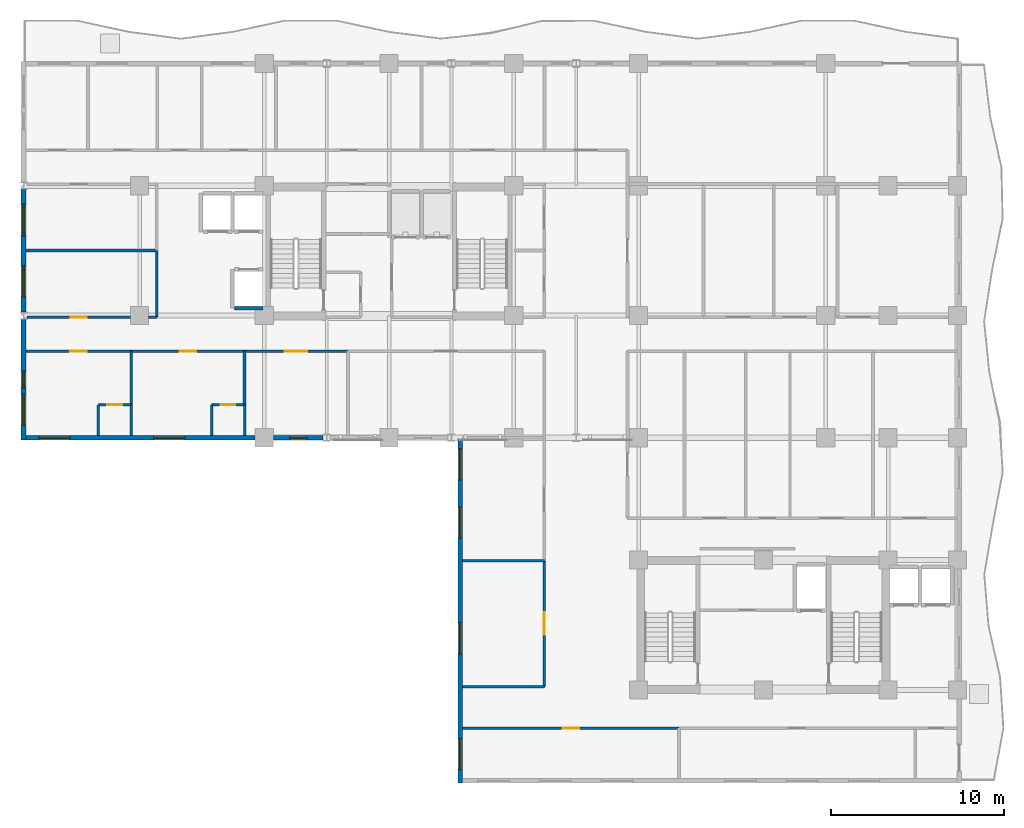
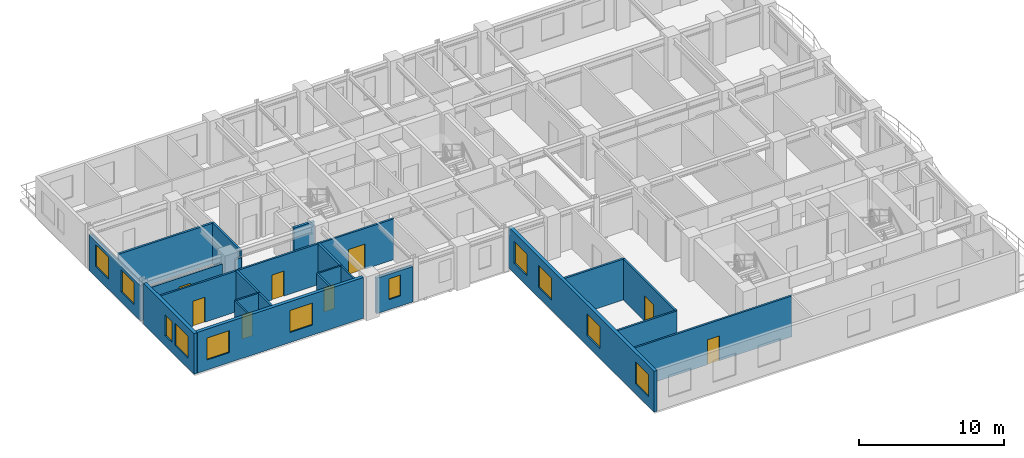
# One storey, part 4 of 14: 25 walls, 11 windows, 8 doors, 19 openings.
"""IFC4 building model written with IfcOpenShell, lengths in metres."""

from ifc_helpers import new_model, si_unit, direction, frame, frame_2d, origin, place, context, subcontext, project, spatial, rectangle, extrude, material, layer, layer_set, type_object, element, fill, save


model = new_model("IFC4")

# Units and contexts
model_context = context("Model", 3, precision=1e-05, world=origin(), true_north=direction((0.0, 1.0)))
body_context = subcontext(model_context, "Body", "Model", "MODEL_VIEW")
ifc_project = project(units=[si_unit("LENGTHUNIT", "METRE"), si_unit("AREAUNIT", "SQUARE_METRE"), si_unit("VOLUMEUNIT", "CUBIC_METRE"), si_unit("PLANEANGLEUNIT", "RADIAN"), si_unit("MASSUNIT", "GRAM", prefix="KILO")], contexts=[model_context])

# Site, building, storey
site_placement = place(None, origin())
site = spatial("IfcSite", under=ifc_project, at=site_placement, CompositionType="ELEMENT")
building_placement = place(site_placement, origin())
building = spatial("IfcBuilding", under=site, at=building_placement, Name="Kaliganga Portal Commons", CompositionType="ELEMENT")
storey_placement = place(building_placement, frame((0.0, 0.0, 151.300048828125)))
storey = spatial("IfcBuildingStorey", under=building, at=storey_placement, Name="L38", CompositionType="ELEMENT", Elevation=151.300048828125)

# Wall, openings, windows
ifc_material_1 = material(Name="Insulated Aluminium-Clad Spandrel Assembly", Category="aluminium")
ifc_layer_1 = layer(ifc_material_1, 0.260009765625)
ifc_layer_set_1 = layer_set([ifc_layer_1], Name="Insulated Aluminium-Clad Spandrel Assembly")
wall_type_1 = type_object("IfcWallType", Name="WL-EXT-SPAND-260", PredefinedType="STANDARD", material=ifc_layer_set_1)
wall_1_placement = place(storey_placement, frame((0.5, 28.85791015625, 0.0), z_axis=(0.0, 0.0, 1.0), x_axis=(0.0, 1.0, 0.0)))
wall_1 = element("IfcWall", 1, at=wall_1_placement, inside=storey, type_object=wall_type_1, Name="Exterior Envelope Wall L38 P1-E03-S2", PredefinedType="STANDARD", context=body_context, shape_type="SweptSolid", body=[
    extrude(rectangle(XDim=7.083984375, YDim=0.260009765625, at=frame_2d((3.5419921875, 0.0))), origin(), (0.0, 0.0, 1.0), 2.989990234375),
])
opening_1_placement = place(wall_1_placement, frame((0.87109375, 0.0, 0.85009765625)))
opening_1 = element("IfcOpeningElement", 2, at=opening_1_placement, cuts=wall_1, Name="Opening W-01", PredefinedType="OPENING", context=body_context, shape_type="SweptSolid", body=[
    extrude(rectangle(XDim=1.800048828125, YDim=1.85009765625, at=frame_2d((0.89990234375, 0.925048828125))), frame((0.0, 0.14013671875, 0.0), z_axis=(0.0, -1.0, 0.0), x_axis=(1.0, 0.0, 0.0)), (0.0, 0.0, 1.0), 0.280029296875),
])
opening_2_placement = place(wall_1_placement, frame((4.4130859375, 0.0, 0.85009765625)))
opening_2 = element("IfcOpeningElement", 3, at=opening_2_placement, cuts=wall_1, Name="Opening W-01", PredefinedType="OPENING", context=body_context, shape_type="SweptSolid", body=[
    extrude(rectangle(XDim=1.800048828125, YDim=1.85009765625, at=frame_2d((0.89990234375, 0.925048828125))), frame((0.0, 0.14013671875, 0.0), z_axis=(0.0, -1.0, 0.0), x_axis=(1.0, 0.0, 0.0)), (0.0, 0.0, 1.0), 0.280029296875),
])
ifc_material_2 = material(Name="Thermally Broken Aluminium and Low-E Double Glazing", Category="aluminium")
window_type_1 = type_object("IfcWindowType", Name="WIN-STD-1800", PartitioningType="DOUBLE_PANEL_VERTICAL", PredefinedType="WINDOW", material=ifc_material_2)
window_1_placement = place(opening_1_placement, origin())
window_1 = element("IfcWindow", 4, at=window_1_placement, inside=storey, type_object=window_type_1, Name="Facade Window L38-P1E03S2-00", OverallHeight=1.85009765625, OverallWidth=1.800048828125, PartitioningType="SINGLE_PANEL", PredefinedType="WINDOW", context=body_context, shape_type="SweptSolid", body=[
    extrude(rectangle(XDim=1.800048828125, YDim=1.85009765625, at=frame_2d((0.89990234375, 0.925048828125))), frame((0.0, 0.030029296875, 0.0), z_axis=(0.0, -1.0, 0.0), x_axis=(1.0, 0.0, 0.0)), (0.0, 0.0, 1.0), 0.06005859375),
])
fill(opening_1, window_1)
window_2_placement = place(opening_2_placement, origin())
window_2 = element("IfcWindow", 5, at=window_2_placement, inside=storey, type_object=window_type_1, Name="Facade Window L38-P1E03S2-01", OverallHeight=1.85009765625, OverallWidth=1.800048828125, PartitioningType="SINGLE_PANEL", PredefinedType="WINDOW", context=body_context, shape_type="SweptSolid", body=[
    extrude(rectangle(XDim=1.800048828125, YDim=1.85009765625, at=frame_2d((0.89990234375, 0.925048828125))), frame((0.0, 0.030029296875, 0.0), z_axis=(0.0, -1.0, 0.0), x_axis=(1.0, 0.0, 0.0)), (0.0, 0.0, 1.0), 0.06005859375),
])
fill(opening_2, window_2)

wall_2_placement = place(storey_placement, frame((0.5, 21.469970703125, 0.0), z_axis=(0.0, 0.0, 1.0), x_axis=(0.0, 1.0, 0.0)))
wall_2 = element("IfcWall", 6, at=wall_2_placement, inside=storey, type_object=wall_type_1, Name="Exterior Envelope Wall L38 P1-E03-S3", PredefinedType="STANDARD", context=body_context, shape_type="SweptSolid", body=[
    extrude(rectangle(XDim=6.971923828125, YDim=0.260009765625, at=frame_2d((3.48583984375, 0.0))), origin(), (0.0, 0.0, 1.0), 3.43994140625),
])
opening_3_placement = place(wall_2_placement, frame((0.843017578125, 0.0, 0.85009765625)))
opening_3 = element("IfcOpeningElement", 7, at=opening_3_placement, cuts=wall_2, Name="Opening W-01", PredefinedType="OPENING", context=body_context, shape_type="SweptSolid", body=[
    extrude(rectangle(XDim=1.800048828125, YDim=1.85009765625, at=frame_2d((0.89990234375, 0.925048828125))), frame((0.0, 0.14013671875, 0.0), z_axis=(0.0, -1.0, 0.0), x_axis=(1.0, 0.0, 0.0)), (0.0, 0.0, 1.0), 0.280029296875),
])
opening_4_placement = place(wall_2_placement, frame((3.010986328125, 0.0, 0.85009765625)))
opening_4 = element("IfcOpeningElement", 8, at=opening_4_placement, cuts=wall_2, Name="Opening W-04", PredefinedType="OPENING", context=body_context, shape_type="SweptSolid", body=[
    extrude(rectangle(XDim=0.949951171875, YDim=1.75, at=frame_2d((0.47509765625, 0.875))), frame((0.0, 0.14013671875, 0.0), z_axis=(0.0, -1.0, 0.0), x_axis=(1.0, 0.0, 0.0)), (0.0, 0.0, 1.0), 0.280029296875),
])
window_type_2 = type_object("IfcWindowType", Name="WIN-NARROW-950", PartitioningType="SINGLE_PANEL", PredefinedType="WINDOW", material=ifc_material_2)
window_3_placement = place(opening_4_placement, origin())
window_3 = element("IfcWindow", 9, at=window_3_placement, inside=storey, type_object=window_type_2, Name="Facade Window L38-P1E03S3-N0", OverallHeight=1.75, OverallWidth=0.949951171875, PartitioningType="SINGLE_PANEL", PredefinedType="WINDOW", context=body_context, shape_type="SweptSolid", body=[
    extrude(rectangle(XDim=0.949951171875, YDim=1.75, at=frame_2d((0.47509765625, 0.875))), frame((0.0, 0.030029296875, 0.0), z_axis=(0.0, -1.0, 0.0), x_axis=(1.0, 0.0, 0.0)), (0.0, 0.0, 1.0), 0.06005859375),
])
fill(opening_4, window_3)
window_4_placement = place(opening_3_placement, origin())
window_4 = element("IfcWindow", 10, at=window_4_placement, inside=storey, type_object=window_type_1, Name="Facade Window L38-P1E03S3-00", OverallHeight=1.85009765625, OverallWidth=1.800048828125, PartitioningType="SINGLE_PANEL", PredefinedType="WINDOW", context=body_context, shape_type="SweptSolid", body=[
    extrude(rectangle(XDim=1.800048828125, YDim=1.85009765625, at=frame_2d((0.89990234375, 0.925048828125))), frame((0.0, 0.030029296875, 0.0), z_axis=(0.0, -1.0, 0.0), x_axis=(1.0, 0.0, 0.0)), (0.0, 0.0, 1.0), 0.06005859375),
])
fill(opening_3, window_4)

wall_3_placement = place(storey_placement, frame((13.8740234375, 21.60009765625, 0.0), z_axis=(0.0, 0.0, 1.0), x_axis=(-1.0, 0.0, 0.0)))
wall_3 = element("IfcWall", 11, at=wall_3_placement, inside=storey, type_object=wall_type_1, Name="Exterior Envelope Wall L38 P1-E04-S1", PredefinedType="STANDARD", context=body_context, shape_type="SweptSolid", body=[
    extrude(rectangle(XDim=13.239013671875, YDim=0.260009765625, at=frame_2d((6.61962890625, 0.0))), origin(), (0.0, 0.0, 1.0), 3.43994140625),
])
opening_5_placement = place(wall_3_placement, frame((4.064697265625, 0.0, 0.85009765625)))
opening_5 = element("IfcOpeningElement", 12, at=opening_5_placement, cuts=wall_3, Name="Opening W-01", PredefinedType="OPENING", context=body_context, shape_type="SweptSolid", body=[
    extrude(rectangle(XDim=1.800048828125, YDim=1.85009765625, at=frame_2d((0.89990234375, 0.925048828125))), frame((0.0, 0.14013671875, 0.0), z_axis=(0.0, -1.0, 0.0), x_axis=(1.0, 0.0, 0.0)), (0.0, 0.0, 1.0), 0.280029296875),
])
opening_6_placement = place(wall_3_placement, frame((10.68408203125, 0.0, 0.85009765625)))
opening_6 = element("IfcOpeningElement", 13, at=opening_6_placement, cuts=wall_3, Name="Opening W-01", PredefinedType="OPENING", context=body_context, shape_type="SweptSolid", body=[
    extrude(rectangle(XDim=1.800048828125, YDim=1.85009765625, at=frame_2d((0.89990234375, 0.925048828125))), frame((0.0, 0.14013671875, 0.0), z_axis=(0.0, -1.0, 0.0), x_axis=(1.0, 0.0, 0.0)), (0.0, 0.0, 1.0), 0.280029296875),
])
window_5_placement = place(opening_5_placement, origin())
window_5 = element("IfcWindow", 14, at=window_5_placement, inside=storey, type_object=window_type_1, Name="Facade Window L38-P1E04S1-01", OverallHeight=1.85009765625, OverallWidth=1.800048828125, PartitioningType="SINGLE_PANEL", PredefinedType="WINDOW", context=body_context, shape_type="SweptSolid", body=[
    extrude(rectangle(XDim=1.800048828125, YDim=1.85009765625, at=frame_2d((0.89990234375, 0.925048828125))), frame((0.0, 0.030029296875, 0.0), z_axis=(0.0, -1.0, 0.0), x_axis=(1.0, 0.0, 0.0)), (0.0, 0.0, 1.0), 0.06005859375),
])
fill(opening_5, window_5)
window_6_placement = place(opening_6_placement, origin())
window_6 = element("IfcWindow", 15, at=window_6_placement, inside=storey, type_object=window_type_1, Name="Facade Window L38-P1E04S1-03", OverallHeight=1.85009765625, OverallWidth=1.800048828125, PartitioningType="SINGLE_PANEL", PredefinedType="WINDOW", context=body_context, shape_type="SweptSolid", body=[
    extrude(rectangle(XDim=1.800048828125, YDim=1.85009765625, at=frame_2d((0.89990234375, 0.925048828125))), frame((0.0, 0.030029296875, 0.0), z_axis=(0.0, -1.0, 0.0), x_axis=(1.0, 0.0, 0.0)), (0.0, 0.0, 1.0), 0.06005859375),
])
fill(opening_6, window_6)

# Wall, opening, window
wall_4_placement = place(storey_placement, frame((17.797119140625, 21.60009765625, 0.0), z_axis=(0.0, 0.0, 1.0), x_axis=(-1.0, 0.0, 0.0)))
wall_4 = element("IfcWall", 16, at=wall_4_placement, inside=storey, type_object=wall_type_1, Name="Exterior Envelope Wall L38 P1-E04-S2", PredefinedType="STANDARD", context=body_context, shape_type="SweptSolid", body=[
    extrude(rectangle(XDim=2.87109375, YDim=0.260009765625, at=frame_2d((1.435546875, 0.0))), origin(), (0.0, 0.0, 1.0), 2.989990234375),
])
opening_7_placement = place(wall_4_placement, frame((0.96044921875, 0.0, 0.85009765625)))
opening_7 = element("IfcOpeningElement", 17, at=opening_7_placement, cuts=wall_4, Name="Opening W-04", PredefinedType="OPENING", context=body_context, shape_type="SweptSolid", body=[
    extrude(rectangle(XDim=0.949951171875, YDim=1.75, at=frame_2d((0.47509765625, 0.875))), frame((0.0, 0.14013671875, 0.0), z_axis=(0.0, -1.0, 0.0), x_axis=(1.0, 0.0, 0.0)), (0.0, 0.0, 1.0), 0.280029296875),
])
window_7_placement = place(opening_7_placement, origin())
window_7 = element("IfcWindow", 18, at=window_7_placement, inside=storey, type_object=window_type_2, Name="Facade Window L38-P1E04S2-00", OverallHeight=1.75, OverallWidth=0.949951171875, PartitioningType="SINGLE_PANEL", PredefinedType="WINDOW", context=body_context, shape_type="SweptSolid", body=[
    extrude(rectangle(XDim=0.949951171875, YDim=1.75, at=frame_2d((0.47509765625, 0.875))), frame((0.0, 0.030029296875, 0.0), z_axis=(0.0, -1.0, 0.0), x_axis=(1.0, 0.0, 0.0)), (0.0, 0.0, 1.0), 0.06005859375),
])
fill(opening_7, window_7)

# Wall, openings, windows
wall_5_placement = place(storey_placement, frame((25.699951171875, 1.669921875, 0.0), z_axis=(0.0, 0.0, 1.0), x_axis=(0.0, 1.0, 0.0)))
wall_5 = element("IfcWall", 19, at=wall_5_placement, inside=storey, type_object=wall_type_1, Name="Exterior Envelope Wall L38 P1-E05-S1", PredefinedType="STANDARD", context=body_context, shape_type="SweptSolid", body=[
    extrude(rectangle(XDim=20.06005859375, YDim=0.260009765625, at=frame_2d((10.030029296875, 0.0))), origin(), (0.0, 0.0, 1.0), 3.43994140625),
])
opening_8_placement = place(wall_5_placement, frame((0.771728515625, 0.0, 0.85009765625)))
opening_8 = element("IfcOpeningElement", 20, at=opening_8_placement, cuts=wall_5, Name="Opening W-01", PredefinedType="OPENING", context=body_context, shape_type="SweptSolid", body=[
    extrude(rectangle(XDim=1.800048828125, YDim=1.85009765625, at=frame_2d((0.89990234375, 0.925048828125))), frame((0.0, 0.14013671875, 0.0), z_axis=(0.0, -1.0, 0.0), x_axis=(1.0, 0.0, 0.0)), (0.0, 0.0, 1.0), 0.280029296875),
])
opening_9_placement = place(wall_5_placement, frame((7.458251953125, 0.0, 0.85009765625)))
opening_9 = element("IfcOpeningElement", 21, at=opening_9_placement, cuts=wall_5, Name="Opening W-01", PredefinedType="OPENING", context=body_context, shape_type="SweptSolid", body=[
    extrude(rectangle(XDim=1.800048828125, YDim=1.85009765625, at=frame_2d((0.89990234375, 0.925048828125))), frame((0.0, 0.14013671875, 0.0), z_axis=(0.0, -1.0, 0.0), x_axis=(1.0, 0.0, 0.0)), (0.0, 0.0, 1.0), 0.280029296875),
])
opening_10_placement = place(wall_5_placement, frame((14.14501953125, 0.0, 0.85009765625)))
opening_10 = element("IfcOpeningElement", 22, at=opening_10_placement, cuts=wall_5, Name="Opening W-01", PredefinedType="OPENING", context=body_context, shape_type="SweptSolid", body=[
    extrude(rectangle(XDim=1.800048828125, YDim=1.85009765625, at=frame_2d((0.89990234375, 0.925048828125))), frame((0.0, 0.14013671875, 0.0), z_axis=(0.0, -1.0, 0.0), x_axis=(1.0, 0.0, 0.0)), (0.0, 0.0, 1.0), 0.280029296875),
])
opening_11_placement = place(wall_5_placement, frame((17.48828125, 0.0, 0.85009765625)))
opening_11 = element("IfcOpeningElement", 23, at=opening_11_placement, cuts=wall_5, Name="Opening W-01", PredefinedType="OPENING", context=body_context, shape_type="SweptSolid", body=[
    extrude(rectangle(XDim=1.800048828125, YDim=1.85009765625, at=frame_2d((0.89990234375, 0.925048828125))), frame((0.0, 0.14013671875, 0.0), z_axis=(0.0, -1.0, 0.0), x_axis=(1.0, 0.0, 0.0)), (0.0, 0.0, 1.0), 0.280029296875),
])
window_8_placement = place(opening_8_placement, origin())
window_8 = element("IfcWindow", 24, at=window_8_placement, inside=storey, type_object=window_type_1, Name="Facade Window L38-P1E05S1-00", OverallHeight=1.85009765625, OverallWidth=1.800048828125, PartitioningType="SINGLE_PANEL", PredefinedType="WINDOW", context=body_context, shape_type="SweptSolid", body=[
    extrude(rectangle(XDim=1.800048828125, YDim=1.85009765625, at=frame_2d((0.89990234375, 0.925048828125))), frame((0.0, 0.030029296875, 0.0), z_axis=(0.0, -1.0, 0.0), x_axis=(1.0, 0.0, 0.0)), (0.0, 0.0, 1.0), 0.06005859375),
])
fill(opening_8, window_8)
window_9_placement = place(opening_9_placement, origin())
window_9 = element("IfcWindow", 25, at=window_9_placement, inside=storey, type_object=window_type_1, Name="Facade Window L38-P1E05S1-02", OverallHeight=1.85009765625, OverallWidth=1.800048828125, PartitioningType="SINGLE_PANEL", PredefinedType="WINDOW", context=body_context, shape_type="SweptSolid", body=[
    extrude(rectangle(XDim=1.800048828125, YDim=1.85009765625, at=frame_2d((0.89990234375, 0.925048828125))), frame((0.0, 0.030029296875, 0.0), z_axis=(0.0, -1.0, 0.0), x_axis=(1.0, 0.0, 0.0)), (0.0, 0.0, 1.0), 0.06005859375),
])
fill(opening_9, window_9)
window_10_placement = place(opening_10_placement, origin())
window_10 = element("IfcWindow", 26, at=window_10_placement, inside=storey, type_object=window_type_1, Name="Facade Window L38-P1E05S1-04", OverallHeight=1.85009765625, OverallWidth=1.800048828125, PartitioningType="SINGLE_PANEL", PredefinedType="WINDOW", context=body_context, shape_type="SweptSolid", body=[
    extrude(rectangle(XDim=1.800048828125, YDim=1.85009765625, at=frame_2d((0.89990234375, 0.925048828125))), frame((0.0, 0.030029296875, 0.0), z_axis=(0.0, -1.0, 0.0), x_axis=(1.0, 0.0, 0.0)), (0.0, 0.0, 1.0), 0.06005859375),
])
fill(opening_10, window_10)
window_11_placement = place(opening_11_placement, origin())
window_11 = element("IfcWindow", 27, at=window_11_placement, inside=storey, type_object=window_type_1, Name="Facade Window L38-P1E05S1-05", OverallHeight=1.85009765625, OverallWidth=1.800048828125, PartitioningType="SINGLE_PANEL", PredefinedType="WINDOW", context=body_context, shape_type="SweptSolid", body=[
    extrude(rectangle(XDim=1.800048828125, YDim=1.85009765625, at=frame_2d((0.89990234375, 0.925048828125))), frame((0.0, 0.030029296875, 0.0), z_axis=(0.0, -1.0, 0.0), x_axis=(1.0, 0.0, 0.0)), (0.0, 0.0, 1.0), 0.06005859375),
])
fill(opening_11, window_11)

# Wall, opening, door
ifc_material_3 = material(Name="Fire-Rated Gypsum Board on Steel Stud", Category="steel")
ifc_layer_2 = layer(ifc_material_3, 0.14990234375)
ifc_layer_set_2 = layer_set([ifc_layer_2], Name="Fire-Rated Gypsum Board on Steel Stud")
wall_type_2 = type_object("IfcWallType", Name="WL-PART-CORR-150", PredefinedType="PARTITIONING", material=ifc_layer_set_2)
wall_6_placement = place(storey_placement, frame((25.83203125, 4.840087890625, 0.0), z_axis=(0.0, 0.0, 1.0), x_axis=(1.0, 0.0, 0.0)))
wall_6 = element("IfcWall", 28, at=wall_6_placement, inside=storey, type_object=wall_type_2, Name="Interior Partition L38-008", PredefinedType="PARTITIONING", context=body_context, shape_type="SweptSolid", body=[
    extrude(rectangle(XDim=12.508056640625, YDim=0.14990234375, at=frame_2d((6.25390625, 0.0))), origin(), (0.0, 0.0, 1.0), 3.43994140625),
])
opening_12_placement = place(wall_6_placement, frame((5.779052734375, 0.0, 0.0)))
opening_12 = element("IfcOpeningElement", 29, at=opening_12_placement, cuts=wall_6, Name="Opening UD-01", PredefinedType="OPENING", context=body_context, shape_type="SweptSolid", body=[
    extrude(rectangle(XDim=0.949951171875, YDim=2.10009765625, at=frame_2d((0.47509765625, 1.050048828125))), frame((0.0, 0.0849609375, 0.0), z_axis=(0.0, -1.0, 0.0), x_axis=(1.0, 0.0, 0.0)), (0.0, 0.0, 1.0), 0.169921875),
])
ifc_material_4 = material(Name="Solid-Core Timber Acoustic Fire Door", Category="wood")
door_type_1 = type_object("IfcDoorType", Name="DR-UNIT-950", OperationType="NOTDEFINED", PredefinedType="DOOR", material=ifc_material_4)
door_1_placement = place(opening_12_placement, origin())
door_1 = element("IfcDoor", 30, at=door_1_placement, inside=storey, type_object=door_type_1, Name="Interior Door L38-BS01", OperationType="SINGLE_SWING_RIGHT", OverallHeight=2.10009765625, OverallWidth=0.949951171875, PredefinedType="DOOR", context=body_context, shape_type="SweptSolid", body=[
    extrude(rectangle(XDim=0.949951171875, YDim=2.10009765625, at=frame_2d((0.47509765625, 1.050048828125))), frame((0.0, 0.02490234375, 0.0), z_axis=(0.0, -1.0, 0.0), x_axis=(1.0, 0.0, 0.0)), (0.0, 0.0, 1.0), 0.050048828125),
])
fill(opening_12, door_1)

wall_7_placement = place(storey_placement, frame((0.701904296875, 28.56005859375, 0.0), z_axis=(0.0, 0.0, 1.0), x_axis=(1.0, 0.0, 0.0)))
wall_7 = element("IfcWall", 31, at=wall_7_placement, inside=storey, type_object=wall_type_2, Name="Interior Partition L38-012", PredefinedType="PARTITIONING", context=body_context, shape_type="SweptSolid", body=[
    extrude(rectangle(XDim=5.97314453125, YDim=0.14990234375, at=frame_2d((2.986572265625, 0.0))), origin(), (0.0, 0.0, 1.0), 2.83984375),
])
opening_13_placement = place(wall_7_placement, frame((2.511474609375, 0.0, 0.0)))
opening_13 = element("IfcOpeningElement", 32, at=opening_13_placement, cuts=wall_7, Name="Opening UD-01", PredefinedType="OPENING", context=body_context, shape_type="SweptSolid", body=[
    extrude(rectangle(XDim=0.949951171875, YDim=2.10009765625, at=frame_2d((0.47509765625, 1.050048828125))), frame((0.0, 0.0849609375, 0.0), z_axis=(0.0, -1.0, 0.0), x_axis=(1.0, 0.0, 0.0)), (0.0, 0.0, 1.0), 0.169921875),
])
door_2_placement = place(opening_13_placement, origin())
door_2 = element("IfcDoor", 33, at=door_2_placement, inside=storey, type_object=door_type_1, Name="Interior Door L38-AW01", OperationType="SINGLE_SWING_RIGHT", OverallHeight=2.10009765625, OverallWidth=0.949951171875, PredefinedType="DOOR", context=body_context, shape_type="SweptSolid", body=[
    extrude(rectangle(XDim=0.949951171875, YDim=2.10009765625, at=frame_2d((0.47509765625, 1.050048828125))), frame((0.0, 0.02490234375, 0.0), z_axis=(0.0, -1.0, 0.0), x_axis=(1.0, 0.0, 0.0)), (0.0, 0.0, 1.0), 0.050048828125),
])
fill(opening_13, door_2)

# Wall
wall_8_placement = place(storey_placement, frame((7.72509765625, 28.56005859375, 0.0), z_axis=(0.0, 0.0, 1.0), x_axis=(1.0, 0.0, 0.0)))
element("IfcWall", 34, at=wall_8_placement, inside=storey, type_object=wall_type_2, Name="Interior Partition L38-013", PredefinedType="PARTITIONING", context=body_context, shape_type="SweptSolid", body=[
    extrude(rectangle(XDim=0.474853515625, YDim=0.14990234375, at=frame_2d((0.2373046875, 0.0))), origin(), (0.0, 0.0, 1.0), 2.83984375),
])

# Wall, opening, door
wall_9_placement = place(storey_placement, frame((30.56005859375, 7.239990234375, 0.0), z_axis=(0.0, 0.0, 1.0), x_axis=(0.0, 1.0, 0.0)))
wall_9 = element("IfcWall", 35, at=wall_9_placement, inside=storey, type_object=wall_type_2, Name="Interior Partition L38-017", PredefinedType="PARTITIONING", context=body_context, shape_type="SweptSolid", body=[
    extrude(rectangle(XDim=7.260009765625, YDim=0.14990234375, at=frame_2d((3.6298828125, 0.0))), origin(), (0.0, 0.0, 1.0), 3.43994140625),
])
opening_14_placement = place(wall_9_placement, frame((2.97998046875, 0.0, 0.0)))
opening_14 = element("IfcOpeningElement", 36, at=opening_14_placement, cuts=wall_9, Name="Opening RD-03", PredefinedType="OPENING", context=body_context, shape_type="SweptSolid", body=[
    extrude(rectangle(XDim=1.300048828125, YDim=2.1201171875, at=frame_2d((0.64990234375, 1.06005859375))), frame((0.0, 0.0849609375, 0.0), z_axis=(0.0, -1.0, 0.0), x_axis=(1.0, 0.0, 0.0)), (0.0, 0.0, 1.0), 0.169921875),
])
ifc_material_5 = material(Name="Glazed Timber Seminar Vision Door", Category="wood")
door_type_2 = type_object("IfcDoorType", Name="DR-STUDY-1300", OperationType="DOUBLE_DOOR_SINGLE_SWING", PredefinedType="DOOR", material=ifc_material_5)
door_3_placement = place(opening_14_placement, origin())
door_3 = element("IfcDoor", 37, at=door_3_placement, inside=storey, type_object=door_type_2, Name="Interior Door L38-KW01", OperationType="DOUBLE_DOOR_SINGLE_SWING", OverallHeight=2.1201171875, OverallWidth=1.300048828125, PredefinedType="DOOR", context=body_context, shape_type="SweptSolid", body=[
    extrude(rectangle(XDim=1.300048828125, YDim=2.1201171875, at=frame_2d((0.64990234375, 1.06005859375))), frame((0.0, 0.02490234375, 0.0), z_axis=(0.0, -1.0, 0.0), x_axis=(1.0, 0.0, 0.0)), (0.0, 0.0, 1.0), 0.050048828125),
])
fill(opening_14, door_3)

wall_10_placement = place(storey_placement, frame((6.719970703125, 26.60009765625, 0.0), z_axis=(0.0, 0.0, 1.0), x_axis=(1.0, 0.0, 0.0)))
wall_10 = element("IfcWall", 38, at=wall_10_placement, inside=storey, type_object=wall_type_2, Name="Interior Partition L38-022", PredefinedType="PARTITIONING", context=body_context, shape_type="SweptSolid", body=[
    extrude(rectangle(XDim=6.5400390625, YDim=0.14990234375, at=frame_2d((3.27001953125, 0.0))), origin(), (0.0, 0.0, 1.0), 3.43994140625),
])
opening_15_placement = place(wall_10_placement, frame((2.794921875, 0.0, 0.0)))
opening_15 = element("IfcOpeningElement", 39, at=opening_15_placement, cuts=wall_10, Name="Opening UD-01", PredefinedType="OPENING", context=body_context, shape_type="SweptSolid", body=[
    extrude(rectangle(XDim=0.949951171875, YDim=2.10009765625, at=frame_2d((0.47509765625, 1.050048828125))), frame((0.0, 0.0849609375, 0.0), z_axis=(0.0, -1.0, 0.0), x_axis=(1.0, 0.0, 0.0)), (0.0, 0.0, 1.0), 0.169921875),
])
door_4_placement = place(opening_15_placement, origin())
door_4 = element("IfcDoor", 40, at=door_4_placement, inside=storey, type_object=door_type_1, Name="Interior Door L38-AS02", OperationType="SINGLE_SWING_LEFT", OverallHeight=2.10009765625, OverallWidth=0.949951171875, PredefinedType="DOOR", context=body_context, shape_type="SweptSolid", body=[
    extrude(rectangle(XDim=0.949951171875, YDim=2.10009765625, at=frame_2d((0.47509765625, 1.050048828125))), frame((0.0, 0.02490234375, 0.0), z_axis=(0.0, -1.0, 0.0), x_axis=(1.0, 0.0, 0.0)), (0.0, 0.0, 1.0), 0.050048828125),
])
fill(opening_15, door_4)

wall_11_placement = place(storey_placement, frame((0.632080078125, 26.60009765625, 0.0), z_axis=(0.0, 0.0, 1.0), x_axis=(1.0, 0.0, 0.0)))
wall_11 = element("IfcWall", 41, at=wall_11_placement, inside=storey, type_object=wall_type_2, Name="Interior Partition L38-023", PredefinedType="PARTITIONING", context=body_context, shape_type="SweptSolid", body=[
    extrude(rectangle(XDim=6.087890625, YDim=0.14990234375, at=frame_2d((3.0439453125, 0.0))), origin(), (0.0, 0.0, 1.0), 3.43994140625),
])
opening_16_placement = place(wall_11_placement, frame((2.569091796875, 0.0, 0.0)))
opening_16 = element("IfcOpeningElement", 42, at=opening_16_placement, cuts=wall_11, Name="Opening UD-01", PredefinedType="OPENING", context=body_context, shape_type="SweptSolid", body=[
    extrude(rectangle(XDim=0.949951171875, YDim=2.10009765625, at=frame_2d((0.47509765625, 1.050048828125))), frame((0.0, 0.0849609375, 0.0), z_axis=(0.0, -1.0, 0.0), x_axis=(1.0, 0.0, 0.0)), (0.0, 0.0, 1.0), 0.169921875),
])
door_5_placement = place(opening_16_placement, origin())
door_5 = element("IfcDoor", 43, at=door_5_placement, inside=storey, type_object=door_type_1, Name="Interior Door L38-AS01", OperationType="SINGLE_SWING_RIGHT", OverallHeight=2.10009765625, OverallWidth=0.949951171875, PredefinedType="DOOR", context=body_context, shape_type="SweptSolid", body=[
    extrude(rectangle(XDim=0.949951171875, YDim=2.10009765625, at=frame_2d((0.47509765625, 1.050048828125))), frame((0.0, 0.02490234375, 0.0), z_axis=(0.0, -1.0, 0.0), x_axis=(1.0, 0.0, 0.0)), (0.0, 0.0, 1.0), 0.050048828125),
])
fill(opening_16, door_5)

wall_12_placement = place(storey_placement, frame((13.260009765625, 26.60009765625, 0.0), z_axis=(0.0, 0.0, 1.0), x_axis=(1.0, 0.0, 0.0)))
wall_12 = element("IfcWall", 44, at=wall_12_placement, inside=storey, type_object=wall_type_2, Name="Interior Partition L38-024", PredefinedType="PARTITIONING", context=body_context, shape_type="SweptSolid", body=[
    extrude(rectangle(XDim=5.9599609375, YDim=0.14990234375, at=frame_2d((2.97998046875, 0.0))), origin(), (0.0, 0.0, 1.0), 3.43994140625),
])
opening_17_placement = place(wall_12_placement, frame((2.330078125, 0.0, 0.0)))
opening_17 = element("IfcOpeningElement", 45, at=opening_17_placement, cuts=wall_12, Name="Opening RD-03", PredefinedType="OPENING", context=body_context, shape_type="SweptSolid", body=[
    extrude(rectangle(XDim=1.300048828125, YDim=2.1201171875, at=frame_2d((0.64990234375, 1.06005859375))), frame((0.0, 0.0849609375, 0.0), z_axis=(0.0, -1.0, 0.0), x_axis=(1.0, 0.0, 0.0)), (0.0, 0.0, 1.0), 0.169921875),
])
door_6_placement = place(opening_17_placement, origin())
door_6 = element("IfcDoor", 46, at=door_6_placement, inside=storey, type_object=door_type_2, Name="Interior Door L38-AS03", OperationType="DOUBLE_DOOR_SINGLE_SWING", OverallHeight=2.1201171875, OverallWidth=1.300048828125, PredefinedType="DOOR", context=body_context, shape_type="SweptSolid", body=[
    extrude(rectangle(XDim=1.300048828125, YDim=2.1201171875, at=frame_2d((0.64990234375, 1.06005859375))), frame((0.0, 0.02490234375, 0.0), z_axis=(0.0, -1.0, 0.0), x_axis=(1.0, 0.0, 0.0)), (0.0, 0.0, 1.0), 0.050048828125),
])
fill(opening_17, door_6)

# Walls
wall_13_placement = place(storey_placement, frame((25.83203125, 7.239990234375, 0.0), z_axis=(0.0, 0.0, 1.0), x_axis=(1.0, 0.0, 0.0)))
element("IfcWall", 47, at=wall_13_placement, inside=storey, type_object=wall_type_2, Name="Interior Partition L38-030", PredefinedType="PARTITIONING", context=body_context, shape_type="SweptSolid", body=[
    extrude(rectangle(XDim=4.72802734375, YDim=0.14990234375, at=frame_2d((2.364013671875, 0.0))), origin(), (0.0, 0.0, 1.0), 3.43994140625),
])
wall_14_placement = place(storey_placement, frame((8.199951171875, 28.56005859375, 0.0), z_axis=(0.0, 0.0, 1.0), x_axis=(0.0, 1.0, 0.0)))
element("IfcWall", 48, at=wall_14_placement, inside=storey, type_object=wall_type_2, Name="Interior Partition L38-040", PredefinedType="PARTITIONING", context=body_context, shape_type="SweptSolid", body=[
    extrude(rectangle(XDim=3.83984375, YDim=0.14990234375, at=frame_2d((1.919921875, 0.0))), origin(), (0.0, 0.0, 1.0), 3.43994140625),
])
ifc_material_6 = material(Name="Twin-Stud Acoustic Gypsum Partition", Category="gypsum")
ifc_layer_3 = layer(ifc_material_6, 0.1650390625)
ifc_layer_set_3 = layer_set([ifc_layer_3], Name="Twin-Stud Acoustic Gypsum Partition")
wall_type_3 = type_object("IfcWallType", Name="WL-PART-UNIT-165", PredefinedType="PARTITIONING", material=ifc_layer_set_3)
wall_15_placement = place(storey_placement, frame((0.632080078125, 32.39990234375, 0.0), z_axis=(0.0, 0.0, 1.0), x_axis=(1.0, 0.0, 0.0)))
element("IfcWall", 49, at=wall_15_placement, inside=storey, type_object=wall_type_3, Name="Interior Partition L38-065", PredefinedType="PARTITIONING", context=body_context, shape_type="SweptSolid", body=[
    extrude(rectangle(XDim=7.56787109375, YDim=0.1650390625, at=frame_2d((3.783935546875, 0.0))), origin(), (0.0, 0.0, 1.0), 3.43994140625),
])
wall_16_placement = place(storey_placement, frame((25.83203125, 14.5, 0.0), z_axis=(0.0, 0.0, 1.0), x_axis=(1.0, 0.0, 0.0)))
element("IfcWall", 50, at=wall_16_placement, inside=storey, type_object=wall_type_3, Name="Interior Partition L38-077", PredefinedType="PARTITIONING", context=body_context, shape_type="SweptSolid", body=[
    extrude(rectangle(XDim=4.72802734375, YDim=0.1650390625, at=frame_2d((2.364013671875, 0.0))), origin(), (0.0, 0.0, 1.0), 3.43994140625),
])
for number, where, z_axis, x_axis, name in (
    (51, (6.719970703125, 23.5, 0.0), (0.0, 0.0, 1.0), (0.0, 1.0, 0.0), "Interior Partition L38-084"),
    (52, (13.260009765625, 23.5, 0.0), (0.0, 0.0, 1.0), (0.0, 1.0, 0.0), "Interior Partition L38-085"),
):
    element("IfcWall", number, at=place(storey_placement, frame(where, z_axis=z_axis, x_axis=x_axis)), inside=storey, type_object=wall_type_3, Name=name, PredefinedType="PARTITIONING", context=body_context, shape_type="SweptSolid", body=[
        extrude(rectangle(XDim=3.10009765625, YDim=0.1650390625, at=frame_2d((1.550048828125, 0.0))), origin(), (0.0, 0.0, 1.0), 3.43994140625),
    ])

# Wall, opening, door
ifc_material_7 = material(Name="Cement-Board Wet-Room Partition", Category="gypsum")
ifc_layer_4 = layer(ifc_material_7, 0.135009765625)
ifc_layer_set_4 = layer_set([ifc_layer_4], Name="Cement-Board Wet-Room Partition")
wall_type_4 = type_object("IfcWallType", Name="WL-PART-WET-135", PredefinedType="PARTITIONING", material=ifc_layer_set_4)
wall_17_placement = place(storey_placement, frame((11.360107421875, 23.5, 0.0), z_axis=(0.0, 0.0, 1.0), x_axis=(1.0, 0.0, 0.0)))
wall_17 = element("IfcWall", 53, at=wall_17_placement, inside=storey, type_object=wall_type_4, Name="Interior Partition L38-001", PredefinedType="PARTITIONING", context=body_context, shape_type="SweptSolid", body=[
    extrude(rectangle(XDim=1.89990234375, YDim=0.135009765625, at=frame_2d((0.949951171875, 0.0))), origin(), (0.0, 0.0, 1.0), 3.43994140625),
])
opening_18_placement = place(wall_17_placement, frame((0.52490234375, 0.0, 0.0)))
opening_18 = element("IfcOpeningElement", 54, at=opening_18_placement, cuts=wall_17, Name="Opening WD-01", PredefinedType="OPENING", context=body_context, shape_type="SweptSolid", body=[
    extrude(rectangle(XDim=0.85009765625, YDim=2.0400390625, at=frame_2d((0.425048828125, 1.02001953125))), frame((0.0, 0.07763671875, 0.0), z_axis=(0.0, -1.0, 0.0), x_axis=(1.0, 0.0, 0.0)), (0.0, 0.0, 1.0), 0.155029296875),
])
ifc_material_8 = material(Name="Moisture-Resistant Laminate Timber Door", Category="wood")
door_type_3 = type_object("IfcDoorType", Name="DR-WET-850", OperationType="NOTDEFINED", PredefinedType="DOOR", material=ifc_material_8)
door_7_placement = place(opening_18_placement, origin())
door_7 = element("IfcDoor", 55, at=door_7_placement, inside=storey, type_object=door_type_3, Name="Interior Door L38-AS02E", OperationType="SINGLE_SWING_LEFT", OverallHeight=2.0400390625, OverallWidth=0.85009765625, PredefinedType="DOOR", context=body_context, shape_type="SweptSolid", body=[
    extrude(rectangle(XDim=0.85009765625, YDim=2.0400390625, at=frame_2d((0.425048828125, 1.02001953125))), frame((0.0, 0.02490234375, 0.0), z_axis=(0.0, -1.0, 0.0), x_axis=(1.0, 0.0, 0.0)), (0.0, 0.0, 1.0), 0.050048828125),
])
fill(opening_18, door_7)

wall_18_placement = place(storey_placement, frame((4.820068359375, 23.5, 0.0), z_axis=(0.0, 0.0, 1.0), x_axis=(1.0, 0.0, 0.0)))
wall_18 = element("IfcWall", 56, at=wall_18_placement, inside=storey, type_object=wall_type_4, Name="Interior Partition L38-002", PredefinedType="PARTITIONING", context=body_context, shape_type="SweptSolid", body=[
    extrude(rectangle(XDim=1.89990234375, YDim=0.135009765625, at=frame_2d((0.949951171875, 0.0))), origin(), (0.0, 0.0, 1.0), 3.43994140625),
])
opening_19_placement = place(wall_18_placement, frame((0.52490234375, 0.0, 0.0)))
opening_19 = element("IfcOpeningElement", 57, at=opening_19_placement, cuts=wall_18, Name="Opening WD-01", PredefinedType="OPENING", context=body_context, shape_type="SweptSolid", body=[
    extrude(rectangle(XDim=0.85009765625, YDim=2.0400390625, at=frame_2d((0.425048828125, 1.02001953125))), frame((0.0, 0.07763671875, 0.0), z_axis=(0.0, -1.0, 0.0), x_axis=(1.0, 0.0, 0.0)), (0.0, 0.0, 1.0), 0.155029296875),
])
door_8_placement = place(opening_19_placement, origin())
door_8 = element("IfcDoor", 58, at=door_8_placement, inside=storey, type_object=door_type_3, Name="Interior Door L38-AS01E", OperationType="SINGLE_SWING_RIGHT", OverallHeight=2.0400390625, OverallWidth=0.85009765625, PredefinedType="DOOR", context=body_context, shape_type="SweptSolid", body=[
    extrude(rectangle(XDim=0.85009765625, YDim=2.0400390625, at=frame_2d((0.425048828125, 1.02001953125))), frame((0.0, 0.02490234375, 0.0), z_axis=(0.0, -1.0, 0.0), x_axis=(1.0, 0.0, 0.0)), (0.0, 0.0, 1.0), 0.050048828125),
])
fill(opening_19, door_8)

# Walls
for number, where, z_axis, x_axis, name in (
    (59, (4.820068359375, 21.73193359375, 0.0), (0.0, 0.0, 1.0), (0.0, 1.0, 0.0), "Interior Partition L38-003"),
    (60, (6.719970703125, 21.73193359375, 0.0), (0.0, 0.0, 1.0), (0.0, 1.0, 0.0), "Interior Partition L38-004"),
    (61, (11.360107421875, 21.73193359375, 0.0), (0.0, 0.0, 1.0), (0.0, 1.0, 0.0), "Interior Partition L38-005"),
    (62, (13.260009765625, 21.73193359375, 0.0), (0.0, 0.0, 1.0), (0.0, 1.0, 0.0), "Interior Partition L38-006"),
):
    element("IfcWall", number, at=place(storey_placement, frame(where, z_axis=z_axis, x_axis=x_axis)), inside=storey, type_object=wall_type_4, Name=name, PredefinedType="PARTITIONING", context=body_context, shape_type="SweptSolid", body=[
        extrude(rectangle(XDim=1.76806640625, YDim=0.135009765625, at=frame_2d((0.884033203125, 0.0))), origin(), (0.0, 0.0, 1.0), 3.43994140625),
    ])
ifc_material_9 = material(Name="Fire-Rated Shaftwall Masonry Assembly", Category="masonry")
ifc_layer_5 = layer(ifc_material_9, 0.199951171875)
ifc_layer_set_5 = layer_set([ifc_layer_5], Name="Fire-Rated Shaftwall Masonry Assembly")
wall_type_5 = type_object("IfcWallType", Name="WL-SHAFT-200", PredefinedType="PARTITIONING", material=ifc_layer_set_5)
wall_19_placement = place(storey_placement, frame((12.675048828125, 29.0849609375, 0.0), z_axis=(0.0, 0.0, 1.0), x_axis=(1.0, 0.0, 0.0)))
element("IfcWall", 63, at=wall_19_placement, inside=storey, type_object=wall_type_5, Name="Lift PL-A4 Hoistway Shaft Wall L38-S", PredefinedType="PARTITIONING", context=body_context, shape_type="SweptSolid", body=[
    extrude(rectangle(XDim=1.64990234375, YDim=0.199951171875, at=frame_2d((0.824951171875, 0.0))), origin(), (0.0, 0.0, 1.0), 3.43994140625),
])

save(model, "model.ifc")
